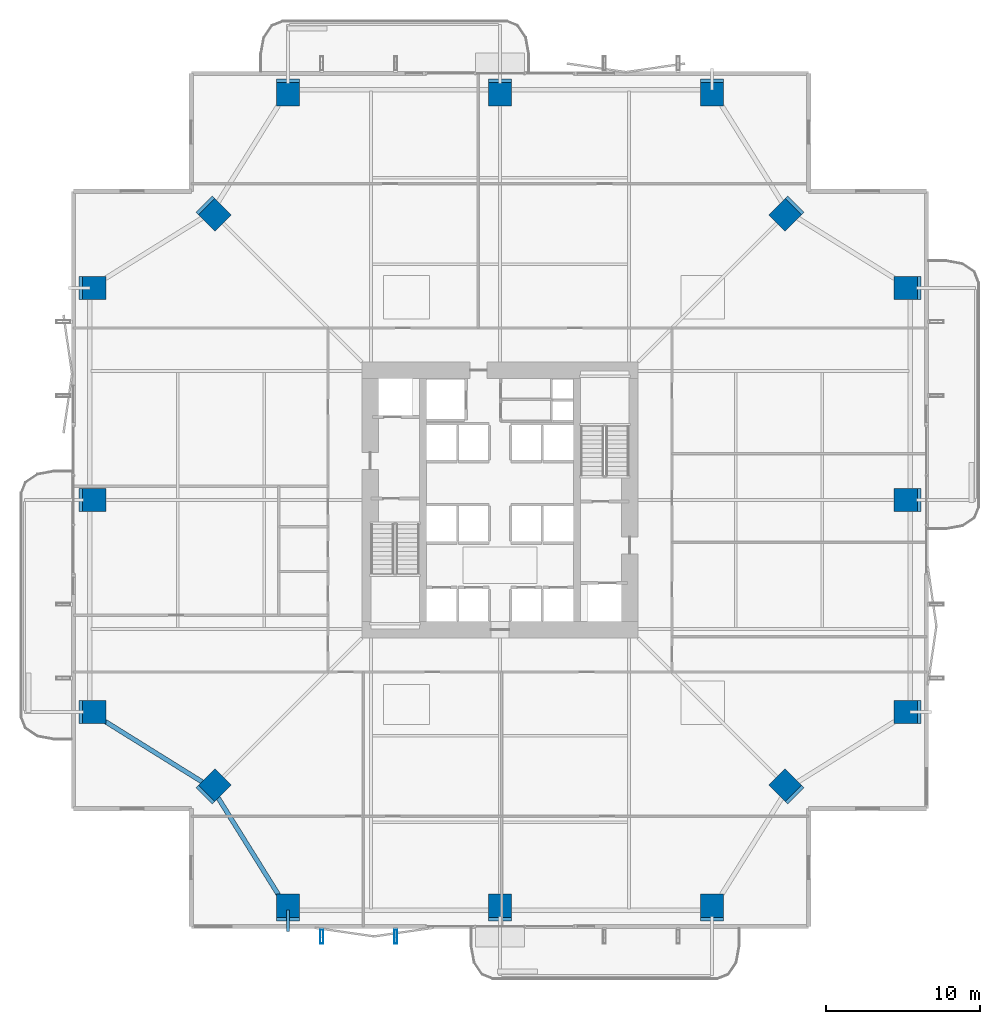
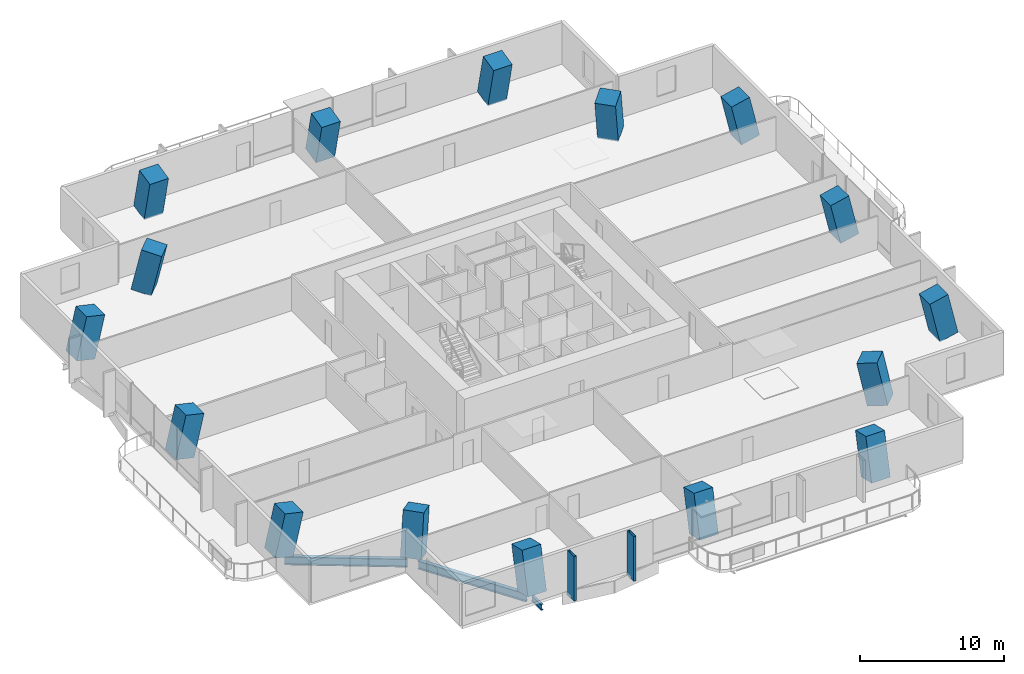
# One storey, part 1 of 24: 16 columns, 3 beams, 2 members.
"""IFC4 building model written with IfcOpenShell, lengths in metres."""

import ifcopenshell
import ifcopenshell.guid

model = None  # the IFC model being written
_history = None  # IfcOwnerHistory: only IFC2X3 demands one
_inside = {}  # id of a spatial element -> (the spatial element, [elements in it])
_under = {}  # id of a project, library or spatial element -> (it, [spatial elements below it])
_declared = {}  # id of a project -> (the project, [libraries it declares])
_typed = {}  # id of a type object -> (the type object, [elements of that type])
_made_of = {}  # id of a material, layer set ... -> (it, [elements and type objects made of it])


def new_model(schema):
    """Start an empty IFC model of exactly this schema.

    Asked for "IFC4X3", IfcOpenShell would pick the latest addendum, in which some entities
    have other attributes; the version numbers below select the first issue.
    IFC2X3 requires an IfcOwnerHistory on every rooted entity: one is made here for all.
    """
    global model, _history
    if schema == "IFC4X3":
        model = ifcopenshell.file(schema_version=(4, 3, 0, 0))
    else:
        model = ifcopenshell.file(schema=schema)
    _inside.clear()
    _under.clear()
    _declared.clear()
    _typed.clear()
    _made_of.clear()
    _history = None
    if model.schema == "IFC2X3":
        org = make("IfcOrganization", Name="unknown")
        user = make(
            "IfcPersonAndOrganization",
            ThePerson=make("IfcPerson", FamilyName="unknown"),
            TheOrganization=org,
        )
        app = make(
            "IfcApplication",
            ApplicationDeveloper=org,
            Version="unknown",
            ApplicationFullName="unknown",
            ApplicationIdentifier="unknown",
        )
        _history = make(
            "IfcOwnerHistory",
            OwningUser=user,
            OwningApplication=app,
            ChangeAction="ADDED",
            CreationDate=0,
        )
    return model


def make(cls, **values):
    """One entity of the class cls with the attributes given. An attribute that is None is left unset."""
    return model.create_entity(
        cls, **{name: value for name, value in values.items() if value is not None}
    )


def rooted(cls, **values):
    """An entity with a GlobalId (a new one), such as an element, a storey or a relation."""
    return make(cls, GlobalId=ifcopenshell.guid.new(), OwnerHistory=_history, **values)


def si_unit(unit_type, name, prefix=None):
    """IfcSIUnit, for example si_unit("LENGTHUNIT", "METRE", prefix="MILLI")."""
    return make("IfcSIUnit", UnitType=unit_type, Prefix=prefix, Name=name)


def assignment(units):
    """IfcUnitAssignment: the units of a project."""
    return None if units is None else make("IfcUnitAssignment", Units=units)


def point(xyz):
    """IfcCartesianPoint."""
    return None if xyz is None else make("IfcCartesianPoint", Coordinates=xyz)


def direction(xyz):
    """IfcDirection."""
    return None if xyz is None else make("IfcDirection", DirectionRatios=xyz)


def frame(location, z_axis=None, x_axis=None):
    """IfcAxis2Placement3D, a coordinate frame: its origin and axes. An axis left out is left unset."""
    return make(
        "IfcAxis2Placement3D",
        Location=point(location),
        Axis=direction(z_axis),
        RefDirection=direction(x_axis),
    )


def frame_2d(location, x_axis=None):
    """IfcAxis2Placement2D, a coordinate frame in the plane: its origin and x axis."""
    return make(
        "IfcAxis2Placement2D", Location=point(location), RefDirection=direction(x_axis)
    )


def origin():
    """The frame at (0, 0, 0) with its axes left unset."""
    return frame((0.0, 0.0, 0.0))


def origin_2d():
    """The frame at (0, 0) in the plane with its x axis left unset."""
    return frame_2d((0.0, 0.0))


def place(relative_to, where):
    """IfcLocalPlacement: puts the frame where relative to a parent placement (None: the world)."""
    return make(
        "IfcLocalPlacement", PlacementRelTo=relative_to, RelativePlacement=where
    )


def context(
    kind, dimensions, precision=None, world=None, true_north=None, identifier=None
):
    """IfcGeometricRepresentationContext, for example the 3D "Model" context."""
    return make(
        "IfcGeometricRepresentationContext",
        ContextIdentifier=identifier,
        ContextType=kind,
        CoordinateSpaceDimension=dimensions,
        Precision=precision,
        WorldCoordinateSystem=world,
        TrueNorth=true_north,
    )


def subcontext(parent, identifier, kind, view, scale=None):
    """IfcGeometricRepresentationSubContext, for example "Body" below "Model"."""
    return make(
        "IfcGeometricRepresentationSubContext",
        ContextIdentifier=identifier,
        ContextType=kind,
        ParentContext=parent,
        TargetScale=scale,
        TargetView=view,
    )


def project(units=None, contexts=None):
    """IfcProject with its units and contexts."""
    return rooted(
        "IfcProject",
        Name="project",
        RepresentationContexts=contexts,
        UnitsInContext=assignment(units),
    )


def spatial(cls, under=None, at=None, **own):
    """A site, building, storey or space (cls), placed at a placement, below another one or the project."""
    s = rooted(cls, ObjectPlacement=at, **own)
    if under is not None:
        _under.setdefault(under.id(), (under, []))[1].append(s)
    return s


def profile(cls, at=None, kind="AREA", **sizes):
    """A parametric profile (cls). Its sizes go by their IFC names, for example OverallWidth=200.0."""
    return make(cls, ProfileType=kind, Position=at, **sizes)


def rectangle(**sizes):
    """IfcRectangleProfileDef."""
    return profile("IfcRectangleProfileDef", **sizes)


def hollow_rectangle(**sizes):
    """IfcRectangleHollowProfileDef."""
    return profile("IfcRectangleHollowProfileDef", **sizes)


def i_section(**sizes):
    """IfcIShapeProfileDef."""
    return profile("IfcIShapeProfileDef", **sizes)


def extrude(swept, where, along, depth):
    """IfcExtrudedAreaSolid: the profile swept, set in the frame where, extruded along a direction by depth."""
    return make(
        "IfcExtrudedAreaSolid",
        SweptArea=swept,
        Position=where,
        ExtrudedDirection=direction(along),
        Depth=depth,
    )


def shape(context_of_items, identifier, shape_type, items):
    """IfcShapeRepresentation: the items that make up one representation, for example the "Body"."""
    return make(
        "IfcShapeRepresentation",
        ContextOfItems=context_of_items,
        RepresentationIdentifier=identifier,
        RepresentationType=shape_type,
        Items=items,
    )


def material(Name=None, Category=None):
    """IfcMaterial."""
    return make("IfcMaterial", Name=Name, Category=Category)


def material_profile(
    of_material, cross_section, Name=None, Category=None, Priority=None
):
    """IfcMaterialProfile: a cross section and its material."""
    return make(
        "IfcMaterialProfile",
        Name=Name,
        Material=of_material,
        Profile=cross_section,
        Priority=Priority,
        Category=Category,
    )


def profile_set(profiles, Name=None, composite=None):
    """IfcMaterialProfileSet."""
    return make(
        "IfcMaterialProfileSet",
        Name=Name,
        MaterialProfiles=profiles,
        CompositeProfile=composite,
    )


def made_of(thing, what):
    """Note that an element or type object is made of a material, layer set ...; save() writes the relation."""
    if what is not None:
        _made_of.setdefault(what.id(), (what, []))[1].append(thing)
    return thing


def type_object(cls, material=None, **own):
    """A type object (cls), such as IfcWallType, which elements share."""
    return made_of(rooted(cls, **own), material)


def element(
    cls,
    number,
    at=None,
    inside=None,
    cuts=None,
    type_object=None,
    material=None,
    context=None,
    identifier="Body",
    shape_type=None,
    held_by="IfcProductDefinitionShape",
    body=None,
    shapes=None,
    **own,
):
    """One element of the class cls, such as IfcWall. Its Tag is "e" and its number.

    at: its placement. inside: the storey or other place that contains it. cuts: it is an
    opening in that element (IfcRelVoidsElement). A single representation is given by context,
    identifier, shape_type and body (its items); several are given by shapes. held_by: the class
    of the entity that holds the representations. save() writes the other relations.
    """
    e = rooted(cls, Tag="e%d" % number, ObjectPlacement=at, **own)
    if body is not None:
        shapes = [shape(context, identifier, shape_type, body)]
    if shapes is not None:
        e.Representation = make(held_by, Representations=shapes)
    if inside is not None:
        _inside.setdefault(inside.id(), (inside, []))[1].append(e)
    if cuts is not None:
        rooted(
            "IfcRelVoidsElement", RelatingBuildingElement=cuts, RelatedOpeningElement=e
        )
    if type_object is not None:
        _typed.setdefault(type_object.id(), (type_object, []))[1].append(e)
    return made_of(e, material)


def aggregate(whole, parts):
    """IfcRelAggregates: a whole, such as a stair, and the parts it consists of."""
    return rooted("IfcRelAggregates", RelatingObject=whole, RelatedObjects=parts)


def save(model, path):
    """Write the relations noted so far, then the file.

    IfcRelAggregates (storeys below a building ...), IfcRelContainedInSpatialStructure (elements
    in a storey), IfcRelDefinesByType, IfcRelAssociatesMaterial and IfcRelDeclares: one each for
    every whole, place, type object, material and project.
    """
    for whole, parts in _under.values():
        aggregate(whole, parts)
    for where, things in _inside.values():
        rooted(
            "IfcRelContainedInSpatialStructure",
            RelatedElements=things,
            RelatingStructure=where,
        )
    for kind, things in _typed.values():
        rooted("IfcRelDefinesByType", RelatedObjects=things, RelatingType=kind)
    for what, things in _made_of.values():
        rooted("IfcRelAssociatesMaterial", RelatedObjects=things, RelatingMaterial=what)
    for by, libraries in _declared.values():
        rooted("IfcRelDeclares", RelatingContext=by, RelatedDefinitions=libraries)
    model.write(path)


model = new_model("IFC4")

# Units and contexts
model_context = context("Model", 3, precision=1e-05, world=origin(), true_north=direction((0.0, 1.0)))
body_context = subcontext(model_context, "Body", "Model", "MODEL_VIEW")
ifc_project = project(units=[si_unit("LENGTHUNIT", "METRE"), si_unit("AREAUNIT", "SQUARE_METRE"), si_unit("VOLUMEUNIT", "CUBIC_METRE"), si_unit("PLANEANGLEUNIT", "RADIAN"), si_unit("MASSUNIT", "GRAM", prefix="KILO")], contexts=[model_context])

# Site, building, storey
site_placement = place(None, origin())
site = spatial("IfcSite", under=ifc_project, at=site_placement, CompositionType="ELEMENT")
building_placement = place(site_placement, origin())
building = spatial("IfcBuilding", under=site, at=building_placement, Name="Belovzor Exchange Tower", CompositionType="ELEMENT")
storey_placement = place(building_placement, frame((0.0, 0.0, 104.10009765625)))
storey = spatial("IfcBuildingStorey", under=building, at=storey_placement, Name="L25", CompositionType="ELEMENT", Elevation=104.10009765625)

# Columns
ifc_material_1 = material(Name="Concrete C60/75", Category="concrete")
ifc_material_profile_1 = material_profile(ifc_material_1, rectangle(XDim=1.5, YDim=1.5, at=origin_2d()))
ifc_profile_set_1 = profile_set([ifc_material_profile_1], Name="Concrete C60/75")
column_type = type_object("IfcColumnType", Name="Reinforced Concrete Tower Column 1500x1500", PredefinedType="COLUMN", material=ifc_profile_set_1)
for number, where, z_axis, x_axis, name in (
    (1, (15.0, 2.112060546875, 0.052978515625), (0.0, 0.224854519766, 0.974392346512), (-1.0, 0.0, 0.0), "COL-T150 Reinforced Concrete Tower Column 1500x1500"),
    (2, (28.800048828125, 2.112060546875, 0.052978515625), (0.0, 0.224854519766, 0.974392346512), (-1.0, 0.0, 0.0), "COL-T150 Reinforced Concrete Tower Column 1500x1500"),
    (3, (42.60009765625, 2.112060546875, 0.052978515625), (0.0, 0.224854519766, 0.974392346512), (-1.0, 0.0, 0.0), "COL-T150 Reinforced Concrete Tower Column 1500x1500"),
    (4, (55.488037109375, 15.0, 0.052978515625), (-0.224854519766, 0.0, 0.974392346512), (0.0, -1.0, 0.0), "COL-T150 Reinforced Concrete Tower Column 1500x1500"),
    (5, (55.488037109375, 28.800048828125, 0.052978515625), (-0.224854519766, 0.0, 0.974392346512), (0.0, -1.0, 0.0), "COL-T150 Reinforced Concrete Tower Column 1500x1500"),
    (6, (55.488037109375, 42.60009765625, 0.052978515625), (-0.224854519766, 0.0, 0.974392346512), (0.0, -1.0, 0.0), "COL-T150 Reinforced Concrete Tower Column 1500x1500"),
    (7, (42.60009765625, 55.488037109375, 0.052978515625), (0.0, -0.224854519766, 0.974392346512), (1.0, 0.0, 0.0), "COL-T150 Reinforced Concrete Tower Column 1500x1500"),
    (8, (28.800048828125, 55.488037109375, 0.052978515625), (0.0, -0.224854519766, 0.974392346512), (1.0, 0.0, 0.0), "COL-T150 Reinforced Concrete Tower Column 1500x1500"),
    (9, (15.0, 55.488037109375, 0.052978515625), (0.0, -0.224854519766, 0.974392346512), (1.0, 0.0, 0.0), "COL-T150 Reinforced Concrete Tower Column 1500x1500"),
    (10, (2.112060546875, 42.60009765625, 0.052978515625), (0.224854519766, 0.0, 0.974392346512), (0.0, 1.0, 0.0), "COL-T150 Reinforced Concrete Tower Column 1500x1500"),
    (11, (2.112060546875, 28.800048828125, 0.052978515625), (0.224854519766, 0.0, 0.974392346512), (0.0, 1.0, 0.0), "COL-T150 Reinforced Concrete Tower Column 1500x1500"),
    (12, (2.112060546875, 15.0, 0.052978515625), (0.224854519766, 0.0, 0.974392346512), (0.0, 1.0, 0.0), "COL-T150 Reinforced Concrete Tower Column 1500x1500"),
):
    element("IfcColumn", number, at=place(storey_placement, frame(where, z_axis=z_axis, x_axis=x_axis)), inside=storey, type_object=column_type, Name=name, PredefinedType="COLUMN", context=body_context, shape_type="SweptSolid", body=[
        extrude(rectangle(XDim=1.5, YDim=1.5, at=origin_2d()), origin(), (0.0, 0.0, 1.0), 3.575439453125),
    ])
for number, where, z_axis, x_axis, name in (
    (13, (10.056884765625, 10.056884765625, 0.0439453125), (0.150258975924, 0.150258975924, 0.977161440248), (-0.707106781187, 0.707106781187, 0.0), "COL-T150 Reinforced Concrete Tower Column 1500x1500"),
    (14, (47.54296875, 10.056884765625, 0.0439453125), (-0.150192217413, 0.150260517648, 0.977171466358), (-0.707267505531, -0.706946020301, 0.0), "COL-T150 Reinforced Concrete Tower Column 1500x1500"),
    (15, (47.54296875, 47.54296875, 0.0439453125), (-0.150193758483, -0.150193758483, 0.977181492777), (0.707106781187, -0.707106781187, 0.0), "COL-T150 Reinforced Concrete Tower Column 1500x1500"),
    (16, (10.056884765625, 47.54296875, 0.0439453125), (0.150260517648, -0.150192217413, 0.977171466358), (0.706946020301, 0.707267505531, 0.0), "COL-T150 Reinforced Concrete Tower Column 1500x1500"),
):
    element("IfcColumn", number, at=place(storey_placement, frame(where, z_axis=z_axis, x_axis=x_axis)), inside=storey, type_object=column_type, Name=name, PredefinedType="COLUMN", context=body_context, shape_type="SweptSolid", body=[
        extrude(rectangle(XDim=1.5, YDim=1.5, at=origin_2d()), origin(), (0.0, 0.0, 1.0), 3.574462890625),
    ])

# Beam
ifc_material_2 = material(Name="Steel S355", Category="steel")
ifc_material_profile_2 = material_profile(ifc_material_2, i_section(OverallWidth=0.199951171875, OverallDepth=0.5, WebThickness=0.01025390625, FlangeThickness=0.01611328125, at=origin_2d()))
ifc_profile_set_2 = profile_set([ifc_material_profile_2], Name="Steel S355")
beam_type_1 = type_object("IfcBeamType", Name="Planted Balcony Cantilever Beam IPE 500", PredefinedType="BEAM", material=ifc_profile_set_2)
beam_placement = place(storey_placement, frame((15.0, 2.10009765625, -0.5), z_axis=(0.0, -1.0, 0.0), x_axis=(1.0, 0.0, 0.0)))
element("IfcBeam", 17, at=beam_placement, inside=storey, type_object=beam_type_1, Name="BC-500 Planted Balcony Cantilever Beam IPE 500", PredefinedType="BEAM", context=body_context, shape_type="SweptSolid", body=[
    extrude(i_section(OverallWidth=0.199951171875, OverallDepth=0.5, WebThickness=0.01025390625, FlangeThickness=0.01611328125, at=origin_2d()), origin(), (0.0, 0.0, 1.0), 1.400146484375),
])

# Members
ifc_material_3 = material(Name="Extruded Architectural Terracotta on Steel S355 Carrier", Category="masonry")
ifc_material_profile_3 = material_profile(ifc_material_3, hollow_rectangle(XDim=0.199951171875, YDim=0.89990234375, WallThickness=0.011962890625, at=origin_2d()))
ifc_profile_set_3 = profile_set([ifc_material_profile_3], Name="Extruded Architectural Terracotta on Steel S355 Carrier")
member_type = type_object("IfcMemberType", Name="Sweeping Terracotta Baguette Fin Assembly 1250", PredefinedType="USERDEFINED", material=ifc_profile_set_3)
for number, where, z_axis, x_axis, name in (
    (18, (17.199951171875, 0.375, -0.25), (0.0, 0.0, 1.0), (1.0, 0.0, 0.0), "FIN-TC125 Terracotta Facade Fin L25 S1"),
    (19, (22.0, 0.375, -0.25), (0.0, 0.0, 1.0), (1.0, 0.0, 0.0), "FIN-TC125 Terracotta Facade Fin L25 S2"),
):
    element("IfcMember", number, at=place(storey_placement, frame(where, z_axis=z_axis, x_axis=x_axis)), inside=storey, type_object=member_type, Name=name, ObjectType="FIN", PredefinedType="USERDEFINED", context=body_context, shape_type="SweptSolid", body=[
        extrude(hollow_rectangle(XDim=0.199951171875, YDim=0.89990234375, WallThickness=0.011962890625, at=origin_2d()), origin(), (0.0, 0.0, 1.0), 3.789794921875),
    ])

# Beams
ifc_material_4 = material(Name="Steel S355", Category="steel")
ifc_material_profile_4 = material_profile(ifc_material_4, i_section(OverallWidth=0.300048828125, OverallDepth=0.699951171875, WebThickness=0.01708984375, FlangeThickness=0.031982421875, at=origin_2d()))
ifc_profile_set_4 = profile_set([ifc_material_profile_4], Name="Steel S355")
beam_type_2 = type_object("IfcBeamType", Name="Zone 1 Primary Perimeter Girder HEB 700", PredefinedType="BEAM", material=ifc_profile_set_4)
for number, where, z_axis, x_axis, name in (
    (20, (10.26806640625, 9.699951171875, -0.60009765625), (0.528538629686, -0.848909251292, 0.0), (0.848909251292, 0.528538629686, 0.0), "FG-Z1 Zone 1 Primary Perimeter Girder HEB 700"),
    (21, (2.449951171875, 14.781982421875, -0.60009765625), (0.848909251292, -0.528538629686, 0.0), (0.528538629686, 0.848909251292, 0.0), "FG-Z1 Zone 1 Primary Perimeter Girder HEB 700"),
):
    element("IfcBeam", number, at=place(storey_placement, frame(where, z_axis=z_axis, x_axis=x_axis)), inside=storey, type_object=beam_type_2, Name=name, PredefinedType="BEAM", context=body_context, shape_type="SweptSolid", body=[
        extrude(i_section(OverallWidth=0.300048828125, OverallDepth=0.699951171875, WebThickness=0.01708984375, FlangeThickness=0.031982421875, at=origin_2d()), origin(), (0.0, 0.0, 1.0), 8.540283203125),
    ])

save(model, "model.ifc")
